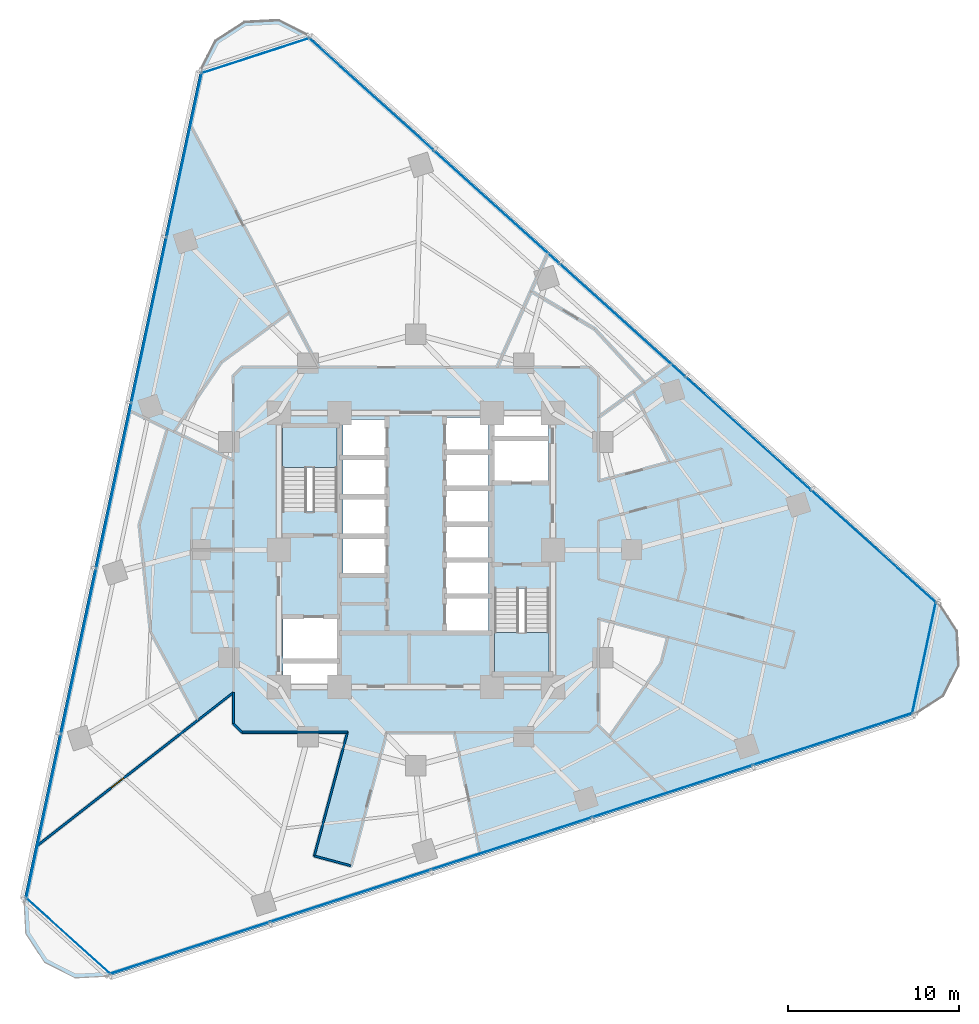
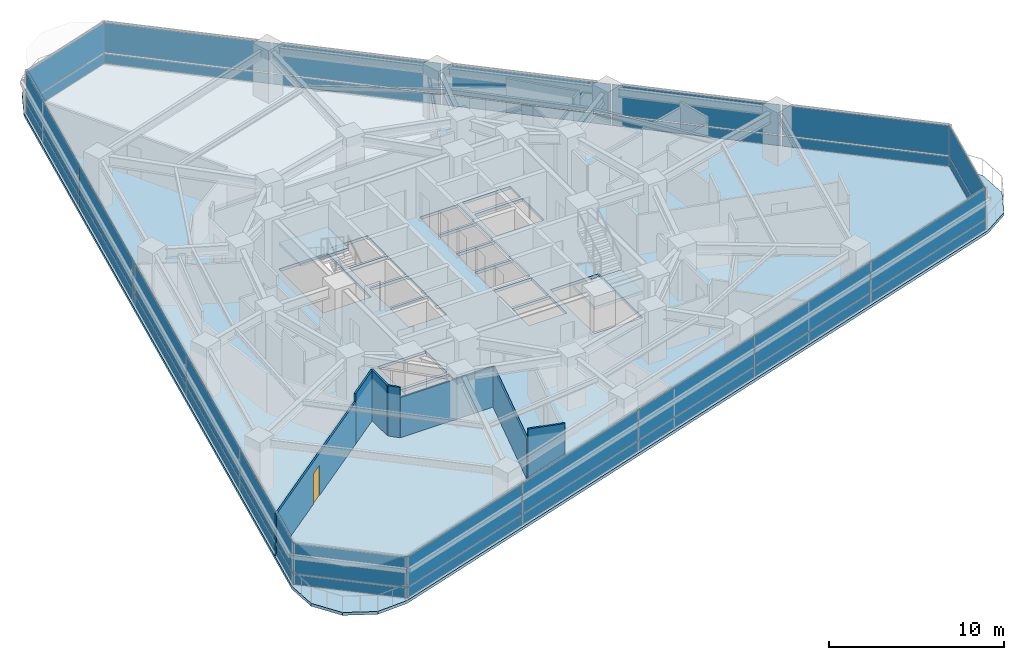
# One storey, part 6 of 13: 36 plates, 7 walls, 3 slabs, 1 door, 1 opening, 8 elements without a shape of their own.
"""IFC4 building model written with IfcOpenShell, lengths in metres."""

from ifc_helpers import new_model, si_unit, direction, frame, frame_2d, origin, origin_2d, place, context, subcontext, project, spatial, polyline, rectangle, outline, extrude, material, layer, layer_set, type_object, element, fill, aggregate, save


model = new_model("IFC4")

# Units and contexts
model_context = context("Model", 3, precision=1e-05, world=origin(), true_north=direction((0.0, 1.0)))
body_context = subcontext(model_context, "Body", "Model", "MODEL_VIEW")
ifc_project = project(units=[si_unit("LENGTHUNIT", "METRE"), si_unit("AREAUNIT", "SQUARE_METRE"), si_unit("VOLUMEUNIT", "CUBIC_METRE"), si_unit("PLANEANGLEUNIT", "RADIAN"), si_unit("MASSUNIT", "GRAM", prefix="KILO")], contexts=[model_context])

# Site, building, storey
site_placement = place(None, origin())
site = spatial("IfcSite", under=ifc_project, at=site_placement, CompositionType="ELEMENT")
building_placement = place(site_placement, origin())
building = spatial("IfcBuilding", under=site, at=building_placement, Name="Terralouvre Media Tower", CompositionType="ELEMENT")
storey_placement = place(building_placement, frame((0.0, 0.0, 101.39990234375)))
storey = spatial("IfcBuildingStorey", under=building, at=storey_placement, Name="L25", CompositionType="ELEMENT", Elevation=101.39990234375)

# Slab
ifc_material_1 = material(Name="Concrete C40/50", Category="concrete")
ifc_layer_1 = layer(ifc_material_1, 0.199951171875, Name="Composite Tower Floor Slab S-TYP200")
ifc_layer_set_1 = layer_set([ifc_layer_1], Name="Concrete C40/50")
slab_type_1 = type_object("IfcSlabType", Name="Composite Tower Floor Slab S-TYP200", PredefinedType="FLOOR", material=ifc_layer_set_1)
slab_1_placement = place(storey_placement, frame((0.0, 0.0, -0.199951171875), z_axis=(0.0, 0.0, 1.0), x_axis=(0.951056516295, 0.309016994375, 0.0)))
element("IfcSlab", 1, at=slab_1_placement, inside=storey, type_object=slab_type_1, Name="L25 Structural Floor Slab", PredefinedType="FLOOR", context=body_context, shape_type="SweptSolid", body=[
    extrude(outline(polyline([(-28.080078125, -12.33203125), (-28.60009765625, -14.272216796875), (-28.080078125, -16.212158203125), (-26.659912109375, -17.63232421875), (-24.719970703125, -18.152099609375), (24.719970703125, -18.152099609375), (26.659912109375, -17.63232421875), (28.080078125, -16.212158203125), (28.60009765625, -14.272216796875), (28.080078125, -12.33203125), (3.360107421875, 30.484130859375), (1.93994140625, 31.904296875), (0.0, 32.424072265625), (-1.93994140625, 31.904296875), (-3.360107421875, 30.484130859375), (-28.080078125, -12.33203125)]), holes=[polyline([(-6.78515625, -5.996826171875), (-9.781005859375, -5.0234375), (-9.41015625, -3.882080078125), (-6.414306640625, -4.85546875), (-6.78515625, -5.996826171875)]), polyline([(-6.3525390625, -4.665283203125), (-9.348388671875, -3.69189453125), (-8.59130859375, -1.36181640625), (-5.595458984375, -2.335205078125), (-6.3525390625, -4.665283203125)]), polyline([(-2.103271484375, -0.809814453125), (-4.480712890625, -0.037109375), (-3.819580078125, 1.998046875), (-1.44189453125, 1.2255859375), (-2.103271484375, -0.809814453125)]), polyline([(-1.392333984375, 1.377685546875), (-3.77001953125, 2.150146484375), (-3.108642578125, 4.185546875), (-0.731201171875, 3.4130859375), (-1.392333984375, 1.377685546875)]), polyline([(4.5302734375, 0.189453125), (2.152587890625, 0.9619140625), (2.752197265625, 2.806884765625), (5.129638671875, 2.034423828125), (4.5302734375, 0.189453125)]), polyline([(-0.681640625, 3.565185546875), (-3.059326171875, 4.337646484375), (-2.39794921875, 6.373046875), (-0.020263671875, 5.600341796875), (-0.681640625, 3.565185546875)]), polyline([(-3.68115234375, 3.556640625), (-6.70556640625, 4.539306640625), (-5.15576171875, 9.308837890625), (-2.13134765625, 8.326171875), (-3.68115234375, 3.556640625)]), polyline([(0.029052734375, 5.752685546875), (-2.3486328125, 6.525146484375), (-1.687255859375, 8.560302734375), (0.6904296875, 7.787841796875), (0.029052734375, 5.752685546875)]), polyline([(3.68115234375, -3.556640625), (6.70556640625, -4.539306640625), (5.15576171875, -9.308837890625), (2.13134765625, -8.326171875), (3.68115234375, -3.556640625)]), polyline([(2.58349609375, -5.80224609375), (0.205810546875, -5.02978515625), (0.80517578125, -3.184814453125), (3.182861328125, -3.957275390625), (2.58349609375, -5.80224609375)]), polyline([(3.232421875, -3.80517578125), (0.854736328125, -3.032470703125), (1.4541015625, -1.1875), (3.831787109375, -1.9599609375), (3.232421875, -3.80517578125)]), polyline([(3.88134765625, -1.807861328125), (1.503662109375, -1.035400390625), (2.103271484375, 0.809814453125), (4.480712890625, 0.037109375), (3.88134765625, -1.807861328125)]), polyline([(5.17919921875, 2.1865234375), (2.801513671875, 2.959228515625), (3.401123046875, 4.80419921875), (5.778564453125, 4.031494140625), (5.17919921875, 2.1865234375)]), polyline([(8.59130859375, 1.36181640625), (5.595458984375, 2.335205078125), (6.3525390625, 4.665283203125), (9.348388671875, 3.69189453125), (8.59130859375, 1.36181640625)]), polyline([(5.828125, 4.183837890625), (3.450439453125, 4.956298828125), (4.050048828125, 6.80126953125), (6.427490234375, 6.02880859375), (5.828125, 4.183837890625)]), polyline([(9.41015625, 3.882080078125), (6.414306640625, 4.85546875), (6.78515625, 5.996826171875), (9.781005859375, 5.0234375), (9.41015625, 3.882080078125)])]), origin(), (0.0, 0.0, 1.0), 0.199951171875),
])

# Stair, slab
ifc_material_2 = material(Name="Concrete C45/55", Category="concrete")
stair_type_1 = type_object("IfcStairType", Name="Dogleg Stair Assembly ST-01", PredefinedType="HALF_TURN_STAIR", material=ifc_material_2)
stair_1_placement = place(storey_placement, origin())
stair_1 = element("IfcStair", 2, at=stair_1_placement, inside=storey, type_object=stair_type_1, Name="L25 Core Pressurised Exit Stair ST-01", PredefinedType="HALF_TURN_STAIR")
ifc_material_3 = material(Name="Concrete C45/55", Category="concrete")
ifc_layer_2 = layer(ifc_material_3, 0.199951171875, Name="Reinforced Concrete Stair Half-Landing SL-LD1")
ifc_layer_set_2 = layer_set([ifc_layer_2], Name="Concrete C45/55")
slab_type_2 = type_object("IfcSlabType", Name="Reinforced Concrete Stair Half-Landing SL-LD1", PredefinedType="LANDING", material=ifc_layer_set_2)
slab_2_placement = place(storey_placement, frame((0.0, 0.0, 1.650146484375)))
slab_2 = element("IfcSlab", 3, at=slab_2_placement, type_object=slab_type_2, Name="ST-01 landing 1", PredefinedType="LANDING", context=body_context, shape_type="SweptSolid", body=[
    extrude(outline(polyline([(-4.60009765625, 4.820068359375), (-4.60009765625, 7.260009765625), (-7.780029296875, 7.260009765625), (-7.780029296875, 4.820068359375), (-4.60009765625, 4.820068359375)])), origin(), (0.0, 0.0, 1.0), 0.199951171875),
])
aggregate(stair_1, [slab_2])

ifc_material_4 = material(Name="Concrete C45/55", Category="concrete")
stair_type_2 = type_object("IfcStairType", Name="Dogleg Stair Assembly ST-02", PredefinedType="HALF_TURN_STAIR", material=ifc_material_4)
stair_2_placement = place(storey_placement, origin())
stair_2 = element("IfcStair", 4, at=stair_2_placement, inside=storey, type_object=stair_type_2, Name="L25 Core Pressurised Exit Stair ST-02", PredefinedType="HALF_TURN_STAIR")
slab_3_placement = place(storey_placement, frame((0.0, 0.0, 1.650146484375)))
slab_3 = element("IfcSlab", 5, at=slab_3_placement, type_object=slab_type_2, Name="ST-02 landing 1", PredefinedType="LANDING", context=body_context, shape_type="SweptSolid", body=[
    extrude(outline(polyline([(4.60009765625, -4.820068359375), (4.60009765625, -7.260009765625), (7.780029296875, -7.260009765625), (7.780029296875, -4.820068359375), (4.60009765625, -4.820068359375)])), origin(), (0.0, 0.0, 1.0), 0.199951171875),
])
aggregate(stair_2, [slab_3])

# Curtain wall, plates
ifc_material_5 = material(Name="Low-iron laminated double glazing with solar-control coating", Category="glass")
ifc_layer_3 = layer(ifc_material_5, 0.1650390625, Name="Rounded Wind-Corner Curved Glazing CW-04")
ifc_layer_set_3 = layer_set([ifc_layer_3], Name="Low-iron laminated double glazing with solar-control coating")
curtain_wall_type_1 = type_object("IfcCurtainWallType", Name="Rounded Wind-Corner Curved Glazing CW-04", PredefinedType="NOTDEFINED", material=ifc_layer_set_3)
curtain_wall_1_placement = place(storey_placement, origin())
curtain_wall_1 = element("IfcCurtainWall", 6, at=curtain_wall_1_placement, inside=storey, type_object=curtain_wall_type_1, Name="L25 Rounded Wind-Corner Curtain Wall C0", PredefinedType="NOTDEFINED")
ifc_material_6 = material(Name="Low-iron laminated double glazing with solar-control coating", Category="glass")
ifc_layer_4 = layer(ifc_material_6, 0.0400390625, Name="Rounded Corner Laminated Vision Panel CWP-03")
ifc_layer_set_4 = layer_set([ifc_layer_4], Name="Low-iron laminated double glazing with solar-control coating")
plate_type_1 = type_object("IfcPlateType", Name="Rounded Corner Laminated Vision Panel CWP-03", PredefinedType="CURTAIN_PANEL", material=ifc_layer_set_4)
plate_1_placement = place(storey_placement, frame((-20.30419921875, -22.550048828125, 0.0751953125), z_axis=(0.0, 0.0, 1.0), x_axis=(0.743144668471, -0.669130780732, 0.0)))
plate_1 = element("IfcPlate", 7, at=plate_1_placement, type_object=plate_type_1, Name="CW-04 panel 1.1", PredefinedType="CURTAIN_PANEL", context=body_context, shape_type="SweptSolid", body=[
    extrude(rectangle(XDim=6.5703125, YDim=0.035888671875, at=origin_2d()), origin(), (0.0, 0.0, 1.0), 0.6875),
])
plate_2_placement = place(storey_placement, frame((-20.30419921875, -22.550048828125, 0.837646484375), z_axis=(0.0, 0.0, 1.0), x_axis=(0.743144668471, -0.669130780732, 0.0)))
plate_2 = element("IfcPlate", 8, at=plate_2_placement, type_object=plate_type_1, Name="CW-04 panel 1.2", PredefinedType="CURTAIN_PANEL", context=body_context, shape_type="SweptSolid", body=[
    extrude(rectangle(XDim=6.5703125, YDim=0.035888671875, at=origin_2d()), origin(), (0.0, 0.0, 1.0), 2.08740234375),
])
aggregate(curtain_wall_1, [plate_1, plate_2])

curtain_wall_2_placement = place(storey_placement, origin())
curtain_wall_2 = element("IfcCurtainWall", 9, at=curtain_wall_2_placement, inside=storey, type_object=curtain_wall_type_1, Name="L25 Rounded Wind-Corner Curtain Wall C1", PredefinedType="NOTDEFINED")
plate_3_placement = place(storey_placement, frame((29.68115234375, -6.308837890625, 0.0751953125), z_axis=(0.0, 0.0, 1.0), x_axis=(0.207911611348, 0.978147617626, 0.0)))
plate_3 = element("IfcPlate", 10, at=plate_3_placement, type_object=plate_type_1, Name="CW-04 panel 1.1", PredefinedType="CURTAIN_PANEL", context=body_context, shape_type="SweptSolid", body=[
    extrude(rectangle(XDim=6.5703125, YDim=0.035888671875, at=origin_2d()), origin(), (0.0, 0.0, 1.0), 0.6875),
])
plate_4_placement = place(storey_placement, frame((29.68115234375, -6.308837890625, 0.837646484375), z_axis=(0.0, 0.0, 1.0), x_axis=(0.207911611348, 0.978147617626, 0.0)))
plate_4 = element("IfcPlate", 11, at=plate_4_placement, type_object=plate_type_1, Name="CW-04 panel 1.2", PredefinedType="CURTAIN_PANEL", context=body_context, shape_type="SweptSolid", body=[
    extrude(rectangle(XDim=6.5703125, YDim=0.035888671875, at=origin_2d()), origin(), (0.0, 0.0, 1.0), 2.08740234375),
])
aggregate(curtain_wall_2, [plate_3, plate_4])

curtain_wall_3_placement = place(storey_placement, origin())
curtain_wall_3 = element("IfcCurtainWall", 12, at=curtain_wall_3_placement, inside=storey, type_object=curtain_wall_type_1, Name="L25 Rounded Wind-Corner Curtain Wall C2", PredefinedType="NOTDEFINED")
plate_5_placement = place(storey_placement, frame((-9.376953125, 28.859130859375, 0.0751953125), z_axis=(0.0, 0.0, 1.0), x_axis=(-0.951056286408, -0.309017701894, 0.0)))
plate_5 = element("IfcPlate", 13, at=plate_5_placement, type_object=plate_type_1, Name="CW-04 panel 1.1", PredefinedType="CURTAIN_PANEL", context=body_context, shape_type="SweptSolid", body=[
    extrude(rectangle(XDim=6.5703125, YDim=0.035888671875, at=origin_2d()), origin(), (0.0, 0.0, 1.0), 0.6875),
])
plate_6_placement = place(storey_placement, frame((-9.376953125, 28.859130859375, 0.837646484375), z_axis=(0.0, 0.0, 1.0), x_axis=(-0.951056286408, -0.309017701894, 0.0)))
plate_6 = element("IfcPlate", 14, at=plate_6_placement, type_object=plate_type_1, Name="CW-04 panel 1.2", PredefinedType="CURTAIN_PANEL", context=body_context, shape_type="SweptSolid", body=[
    extrude(rectangle(XDim=6.5703125, YDim=0.035888671875, at=origin_2d()), origin(), (0.0, 0.0, 1.0), 2.08740234375),
])
aggregate(curtain_wall_3, [plate_5, plate_6])

ifc_material_7 = material(Name="Low-iron laminated double glazing with solar-control coating", Category="glass")
ifc_layer_5 = layer(ifc_material_7, 0.1650390625, Name="Lower Media Tower Unitised Curtain Wall CW-02")
ifc_layer_set_5 = layer_set([ifc_layer_5], Name="Low-iron laminated double glazing with solar-control coating")
curtain_wall_type_2 = type_object("IfcCurtainWallType", Name="Lower Media Tower Unitised Curtain Wall CW-02", PredefinedType="NOTDEFINED", material=ifc_layer_set_5)
curtain_wall_4_placement = place(storey_placement, origin())
curtain_wall_4 = element("IfcCurtainWall", 15, at=curtain_wall_4_placement, inside=storey, type_object=curtain_wall_type_2, Name="L25 Facade Curtain Wall F0", PredefinedType="NOTDEFINED")
ifc_material_8 = material(Name="Low-iron laminated double glazing with solar-control coating", Category="glass")
ifc_layer_6 = layer(ifc_material_8, 0.035888671875, Name="Vision Double-Glazed Unit CWP-01")
ifc_layer_set_6 = layer_set([ifc_layer_6], Name="Low-iron laminated double glazing with solar-control coating")
plate_type_2 = type_object("IfcPlateType", Name="Vision Double-Glazed Unit CWP-01", PredefinedType="CURTAIN_PANEL", material=ifc_layer_set_6)
plate_7_placement = place(storey_placement, frame((-13.218017578125, -23.2548828125, 0.0751953125), z_axis=(0.0, 0.0, 1.0), x_axis=(0.951056509451, 0.309017015439, 0.0)))
plate_7 = element("IfcPlate", 16, at=plate_7_placement, type_object=plate_type_2, Name="CW-02 panel 1.1", PredefinedType="CURTAIN_PANEL", context=body_context, shape_type="SweptSolid", body=[
    extrude(rectangle(XDim=9.775390625, YDim=0.035888671875, at=origin_2d()), origin(), (0.0, 0.0, 1.0), 0.6875),
])
plate_8_placement = place(storey_placement, frame((-13.218017578125, -23.2548828125, 0.837646484375), z_axis=(0.0, 0.0, 1.0), x_axis=(0.951056509451, 0.309017015439, 0.0)))
plate_8 = element("IfcPlate", 17, at=plate_8_placement, type_object=plate_type_2, Name="CW-02 panel 1.2", PredefinedType="CURTAIN_PANEL", context=body_context, shape_type="SweptSolid", body=[
    extrude(rectangle(XDim=9.775390625, YDim=0.035888671875, at=origin_2d()), origin(), (0.0, 0.0, 1.0), 2.08740234375),
])
plate_9_placement = place(storey_placement, frame((-3.831787109375, -20.205078125, 0.0751953125), z_axis=(0.0, 0.0, 1.0), x_axis=(0.951056509451, 0.309017015439, 0.0)))
plate_9 = element("IfcPlate", 18, at=plate_9_placement, type_object=plate_type_2, Name="CW-02 panel 2.1", PredefinedType="CURTAIN_PANEL", context=body_context, shape_type="SweptSolid", body=[
    extrude(rectangle(XDim=9.81298828125, YDim=0.035888671875, at=origin_2d()), origin(), (0.0, 0.0, 1.0), 0.6875),
])
plate_10_placement = place(storey_placement, frame((-3.831787109375, -20.205078125, 0.837646484375), z_axis=(0.0, 0.0, 1.0), x_axis=(0.951056509451, 0.309017015439, 0.0)))
plate_10 = element("IfcPlate", 19, at=plate_10_placement, type_object=plate_type_2, Name="CW-02 panel 2.2", PredefinedType="CURTAIN_PANEL", context=body_context, shape_type="SweptSolid", body=[
    extrude(rectangle(XDim=9.81298828125, YDim=0.035888671875, at=origin_2d()), origin(), (0.0, 0.0, 1.0), 2.08740234375),
])
plate_11_placement = place(storey_placement, frame((5.572265625, -17.149658203125, 0.0751953125), z_axis=(0.0, 0.0, 1.0), x_axis=(0.951056509451, 0.309017015439, 0.0)))
plate_11 = element("IfcPlate", 20, at=plate_11_placement, type_object=plate_type_2, Name="CW-02 panel 3.1", PredefinedType="CURTAIN_PANEL", context=body_context, shape_type="SweptSolid", body=[
    extrude(rectangle(XDim=9.81298828125, YDim=0.035888671875, at=origin_2d()), origin(), (0.0, 0.0, 1.0), 0.6875),
])
plate_12_placement = place(storey_placement, frame((5.572265625, -17.149658203125, 0.837646484375), z_axis=(0.0, 0.0, 1.0), x_axis=(0.951056509451, 0.309017015439, 0.0)))
plate_12 = element("IfcPlate", 21, at=plate_12_placement, type_object=plate_type_2, Name="CW-02 panel 3.2", PredefinedType="CURTAIN_PANEL", context=body_context, shape_type="SweptSolid", body=[
    extrude(rectangle(XDim=9.81298828125, YDim=0.035888671875, at=origin_2d()), origin(), (0.0, 0.0, 1.0), 2.08740234375),
])
plate_13_placement = place(storey_placement, frame((14.976318359375, -14.093994140625, 0.0751953125), z_axis=(0.0, 0.0, 1.0), x_axis=(0.951056509451, 0.309017015439, 0.0)))
plate_13 = element("IfcPlate", 22, at=plate_13_placement, type_object=plate_type_2, Name="CW-02 panel 4.1", PredefinedType="CURTAIN_PANEL", context=body_context, shape_type="SweptSolid", body=[
    extrude(rectangle(XDim=9.81298828125, YDim=0.035888671875, at=origin_2d()), origin(), (0.0, 0.0, 1.0), 0.6875),
])
plate_14_placement = place(storey_placement, frame((14.976318359375, -14.093994140625, 0.837646484375), z_axis=(0.0, 0.0, 1.0), x_axis=(0.951056509451, 0.309017015439, 0.0)))
plate_14 = element("IfcPlate", 23, at=plate_14_placement, type_object=plate_type_2, Name="CW-02 panel 4.2", PredefinedType="CURTAIN_PANEL", context=body_context, shape_type="SweptSolid", body=[
    extrude(rectangle(XDim=9.81298828125, YDim=0.035888671875, at=origin_2d()), origin(), (0.0, 0.0, 1.0), 2.08740234375),
])
plate_15_placement = place(storey_placement, frame((24.362548828125, -11.044189453125, 0.0751953125), z_axis=(0.0, 0.0, 1.0), x_axis=(0.951056509451, 0.309017015439, 0.0)))
plate_15 = element("IfcPlate", 24, at=plate_15_placement, type_object=plate_type_2, Name="CW-02 panel 5.1", PredefinedType="CURTAIN_PANEL", context=body_context, shape_type="SweptSolid", body=[
    extrude(rectangle(XDim=9.775390625, YDim=0.035888671875, at=origin_2d()), origin(), (0.0, 0.0, 1.0), 0.6875),
])
plate_16_placement = place(storey_placement, frame((24.362548828125, -11.044189453125, 0.837646484375), z_axis=(0.0, 0.0, 1.0), x_axis=(0.951056509451, 0.309017015439, 0.0)))
plate_16 = element("IfcPlate", 25, at=plate_16_placement, type_object=plate_type_2, Name="CW-02 panel 5.2", PredefinedType="CURTAIN_PANEL", context=body_context, shape_type="SweptSolid", body=[
    extrude(rectangle(XDim=9.775390625, YDim=0.035888671875, at=origin_2d()), origin(), (0.0, 0.0, 1.0), 2.08740234375),
])
aggregate(curtain_wall_4, [plate_7, plate_8, plate_9, plate_10, plate_11, plate_12, plate_13, plate_14, plate_15, plate_16])

curtain_wall_5_placement = place(storey_placement, origin())
curtain_wall_5 = element("IfcCurtainWall", 26, at=curtain_wall_5_placement, inside=storey, type_object=curtain_wall_type_2, Name="L25 Facade Curtain Wall F1", PredefinedType="NOTDEFINED")
plate_17_placement = place(storey_placement, frame((26.748291015625, 0.18017578125, 0.0751953125), z_axis=(0.0, 0.0, 1.0), x_axis=(-0.743144795545, 0.669130639602, 0.0)))
plate_17 = element("IfcPlate", 27, at=plate_17_placement, type_object=plate_type_2, Name="CW-02 panel 1.1", PredefinedType="CURTAIN_PANEL", context=body_context, shape_type="SweptSolid", body=[
    extrude(rectangle(XDim=9.775390625, YDim=0.035888671875, at=origin_2d()), origin(), (0.0, 0.0, 1.0), 0.6875),
])
plate_18_placement = place(storey_placement, frame((26.748291015625, 0.18017578125, 0.837646484375), z_axis=(0.0, 0.0, 1.0), x_axis=(-0.743144795545, 0.669130639602, 0.0)))
plate_18 = element("IfcPlate", 28, at=plate_18_placement, type_object=plate_type_2, Name="CW-02 panel 1.2", PredefinedType="CURTAIN_PANEL", context=body_context, shape_type="SweptSolid", body=[
    extrude(rectangle(XDim=9.775390625, YDim=0.035888671875, at=origin_2d()), origin(), (0.0, 0.0, 1.0), 2.08740234375),
])
plate_19_placement = place(storey_placement, frame((19.4140625, 6.7841796875, 0.0751953125), z_axis=(0.0, 0.0, 1.0), x_axis=(-0.743144795545, 0.669130639602, 0.0)))
plate_19 = element("IfcPlate", 29, at=plate_19_placement, type_object=plate_type_2, Name="CW-02 panel 2.1", PredefinedType="CURTAIN_PANEL", context=body_context, shape_type="SweptSolid", body=[
    extrude(rectangle(XDim=9.81298828125, YDim=0.035888671875, at=origin_2d()), origin(), (0.0, 0.0, 1.0), 0.6875),
])
plate_20_placement = place(storey_placement, frame((19.4140625, 6.7841796875, 0.837646484375), z_axis=(0.0, 0.0, 1.0), x_axis=(-0.743144795545, 0.669130639602, 0.0)))
plate_20 = element("IfcPlate", 30, at=plate_20_placement, type_object=plate_type_2, Name="CW-02 panel 2.2", PredefinedType="CURTAIN_PANEL", context=body_context, shape_type="SweptSolid", body=[
    extrude(rectangle(XDim=9.81298828125, YDim=0.035888671875, at=origin_2d()), origin(), (0.0, 0.0, 1.0), 2.08740234375),
])
plate_21_placement = place(storey_placement, frame((12.06591796875, 13.400390625, 0.0751953125), z_axis=(0.0, 0.0, 1.0), x_axis=(-0.743144795545, 0.669130639602, 0.0)))
plate_21 = element("IfcPlate", 31, at=plate_21_placement, type_object=plate_type_2, Name="CW-02 panel 3.1", PredefinedType="CURTAIN_PANEL", context=body_context, shape_type="SweptSolid", body=[
    extrude(rectangle(XDim=9.81298828125, YDim=0.035888671875, at=origin_2d()), origin(), (0.0, 0.0, 1.0), 0.6875),
])
plate_22_placement = place(storey_placement, frame((12.06591796875, 13.400390625, 0.837646484375), z_axis=(0.0, 0.0, 1.0), x_axis=(-0.743144795545, 0.669130639602, 0.0)))
plate_22 = element("IfcPlate", 32, at=plate_22_placement, type_object=plate_type_2, Name="CW-02 panel 3.2", PredefinedType="CURTAIN_PANEL", context=body_context, shape_type="SweptSolid", body=[
    extrude(rectangle(XDim=9.81298828125, YDim=0.035888671875, at=origin_2d()), origin(), (0.0, 0.0, 1.0), 2.08740234375),
])
plate_23_placement = place(storey_placement, frame((4.717529296875, 20.016845703125, 0.0751953125), z_axis=(0.0, 0.0, 1.0), x_axis=(-0.743144795545, 0.669130639602, 0.0)))
plate_23 = element("IfcPlate", 33, at=plate_23_placement, type_object=plate_type_2, Name="CW-02 panel 4.1", PredefinedType="CURTAIN_PANEL", context=body_context, shape_type="SweptSolid", body=[
    extrude(rectangle(XDim=9.81298828125, YDim=0.035888671875, at=origin_2d()), origin(), (0.0, 0.0, 1.0), 0.6875),
])
plate_24_placement = place(storey_placement, frame((4.717529296875, 20.016845703125, 0.837646484375), z_axis=(0.0, 0.0, 1.0), x_axis=(-0.743144795545, 0.669130639602, 0.0)))
plate_24 = element("IfcPlate", 34, at=plate_24_placement, type_object=plate_type_2, Name="CW-02 panel 4.2", PredefinedType="CURTAIN_PANEL", context=body_context, shape_type="SweptSolid", body=[
    extrude(rectangle(XDim=9.81298828125, YDim=0.035888671875, at=origin_2d()), origin(), (0.0, 0.0, 1.0), 2.08740234375),
])
plate_25_placement = place(storey_placement, frame((-2.61669921875, 26.62060546875, 0.0751953125), z_axis=(0.0, 0.0, 1.0), x_axis=(-0.743144795545, 0.669130639602, 0.0)))
plate_25 = element("IfcPlate", 35, at=plate_25_placement, type_object=plate_type_2, Name="CW-02 panel 5.1", PredefinedType="CURTAIN_PANEL", context=body_context, shape_type="SweptSolid", body=[
    extrude(rectangle(XDim=9.775390625, YDim=0.035888671875, at=origin_2d()), origin(), (0.0, 0.0, 1.0), 0.6875),
])
plate_26_placement = place(storey_placement, frame((-2.61669921875, 26.62060546875, 0.837646484375), z_axis=(0.0, 0.0, 1.0), x_axis=(-0.743144795545, 0.669130639602, 0.0)))
plate_26 = element("IfcPlate", 36, at=plate_26_placement, type_object=plate_type_2, Name="CW-02 panel 5.2", PredefinedType="CURTAIN_PANEL", context=body_context, shape_type="SweptSolid", body=[
    extrude(rectangle(XDim=9.775390625, YDim=0.035888671875, at=origin_2d()), origin(), (0.0, 0.0, 1.0), 2.08740234375),
])
aggregate(curtain_wall_5, [plate_17, plate_18, plate_19, plate_20, plate_21, plate_22, plate_23, plate_24, plate_25, plate_26])

curtain_wall_6_placement = place(storey_placement, origin())
curtain_wall_6 = element("IfcCurtainWall", 37, at=curtain_wall_6_placement, inside=storey, type_object=curtain_wall_type_2, Name="L25 Facade Curtain Wall F2", PredefinedType="NOTDEFINED")
plate_27_placement = place(storey_placement, frame((-13.5302734375, 23.07470703125, 0.0751953125), z_axis=(0.0, 0.0, 1.0), x_axis=(-0.207911643887, -0.978147610709, 0.0)))
plate_27 = element("IfcPlate", 38, at=plate_27_placement, type_object=plate_type_2, Name="CW-02 panel 1.1", PredefinedType="CURTAIN_PANEL", context=body_context, shape_type="SweptSolid", body=[
    extrude(rectangle(XDim=9.775390625, YDim=0.035888671875, at=origin_2d()), origin(), (0.0, 0.0, 1.0), 0.6875),
])
plate_28_placement = place(storey_placement, frame((-13.5302734375, 23.07470703125, 0.837646484375), z_axis=(0.0, 0.0, 1.0), x_axis=(-0.207911643887, -0.978147610709, 0.0)))
plate_28 = element("IfcPlate", 39, at=plate_28_placement, type_object=plate_type_2, Name="CW-02 panel 1.2", PredefinedType="CURTAIN_PANEL", context=body_context, shape_type="SweptSolid", body=[
    extrude(rectangle(XDim=9.775390625, YDim=0.035888671875, at=origin_2d()), origin(), (0.0, 0.0, 1.0), 2.08740234375),
])
plate_29_placement = place(storey_placement, frame((-15.582275390625, 13.4208984375, 0.0751953125), z_axis=(0.0, 0.0, 1.0), x_axis=(-0.207911643887, -0.978147610709, 0.0)))
plate_29 = element("IfcPlate", 40, at=plate_29_placement, type_object=plate_type_2, Name="CW-02 panel 2.1", PredefinedType="CURTAIN_PANEL", context=body_context, shape_type="SweptSolid", body=[
    extrude(rectangle(XDim=9.81298828125, YDim=0.035888671875, at=origin_2d()), origin(), (0.0, 0.0, 1.0), 0.6875),
])
plate_30_placement = place(storey_placement, frame((-15.582275390625, 13.4208984375, 0.837646484375), z_axis=(0.0, 0.0, 1.0), x_axis=(-0.207911643887, -0.978147610709, 0.0)))
plate_30 = element("IfcPlate", 41, at=plate_30_placement, type_object=plate_type_2, Name="CW-02 panel 2.2", PredefinedType="CURTAIN_PANEL", context=body_context, shape_type="SweptSolid", body=[
    extrude(rectangle(XDim=9.81298828125, YDim=0.035888671875, at=origin_2d()), origin(), (0.0, 0.0, 1.0), 2.08740234375),
])
plate_31_placement = place(storey_placement, frame((-17.637939453125, 3.7490234375, 0.0751953125), z_axis=(0.0, 0.0, 1.0), x_axis=(-0.207911643887, -0.978147610709, 0.0)))
plate_31 = element("IfcPlate", 42, at=plate_31_placement, type_object=plate_type_2, Name="CW-02 panel 3.1", PredefinedType="CURTAIN_PANEL", context=body_context, shape_type="SweptSolid", body=[
    extrude(rectangle(XDim=9.81298828125, YDim=0.035888671875, at=origin_2d()), origin(), (0.0, 0.0, 1.0), 0.6875),
])
plate_32_placement = place(storey_placement, frame((-17.637939453125, 3.7490234375, 0.837646484375), z_axis=(0.0, 0.0, 1.0), x_axis=(-0.207911643887, -0.978147610709, 0.0)))
plate_32 = element("IfcPlate", 43, at=plate_32_placement, type_object=plate_type_2, Name="CW-02 panel 3.2", PredefinedType="CURTAIN_PANEL", context=body_context, shape_type="SweptSolid", body=[
    extrude(rectangle(XDim=9.81298828125, YDim=0.035888671875, at=origin_2d()), origin(), (0.0, 0.0, 1.0), 2.08740234375),
])
plate_33_placement = place(storey_placement, frame((-19.69384765625, -5.9228515625, 0.0751953125), z_axis=(0.0, 0.0, 1.0), x_axis=(-0.207911643887, -0.978147610709, 0.0)))
plate_33 = element("IfcPlate", 44, at=plate_33_placement, type_object=plate_type_2, Name="CW-02 panel 4.1", PredefinedType="CURTAIN_PANEL", context=body_context, shape_type="SweptSolid", body=[
    extrude(rectangle(XDim=9.81298828125, YDim=0.035888671875, at=origin_2d()), origin(), (0.0, 0.0, 1.0), 0.6875),
])
plate_34_placement = place(storey_placement, frame((-19.69384765625, -5.9228515625, 0.837646484375), z_axis=(0.0, 0.0, 1.0), x_axis=(-0.207911643887, -0.978147610709, 0.0)))
plate_34 = element("IfcPlate", 45, at=plate_34_placement, type_object=plate_type_2, Name="CW-02 panel 4.2", PredefinedType="CURTAIN_PANEL", context=body_context, shape_type="SweptSolid", body=[
    extrude(rectangle(XDim=9.81298828125, YDim=0.035888671875, at=origin_2d()), origin(), (0.0, 0.0, 1.0), 2.08740234375),
])
plate_35_placement = place(storey_placement, frame((-21.745849609375, -15.576416015625, 0.0751953125), z_axis=(0.0, 0.0, 1.0), x_axis=(-0.207911643887, -0.978147610709, 0.0)))
plate_35 = element("IfcPlate", 46, at=plate_35_placement, type_object=plate_type_2, Name="CW-02 panel 5.1", PredefinedType="CURTAIN_PANEL", context=body_context, shape_type="SweptSolid", body=[
    extrude(rectangle(XDim=9.775390625, YDim=0.035888671875, at=origin_2d()), origin(), (0.0, 0.0, 1.0), 0.6875),
])
plate_36_placement = place(storey_placement, frame((-21.745849609375, -15.576416015625, 0.837646484375), z_axis=(0.0, 0.0, 1.0), x_axis=(-0.207911643887, -0.978147610709, 0.0)))
plate_36 = element("IfcPlate", 47, at=plate_36_placement, type_object=plate_type_2, Name="CW-02 panel 5.2", PredefinedType="CURTAIN_PANEL", context=body_context, shape_type="SweptSolid", body=[
    extrude(rectangle(XDim=9.775390625, YDim=0.035888671875, at=origin_2d()), origin(), (0.0, 0.0, 1.0), 2.08740234375),
])
aggregate(curtain_wall_6, [plate_27, plate_28, plate_29, plate_30, plate_31, plate_32, plate_33, plate_34, plate_35, plate_36])

# Walls
ifc_material_9 = material(Name="Fire-rated gypsum board drywall partition")
ifc_layer_7 = layer(ifc_material_9, 0.114990234375, Name="Restroom and Pantry Partition PT-115")
ifc_layer_set_7 = layer_set([ifc_layer_7], Name="Fire-rated gypsum board drywall partition")
wall_type = type_object("IfcWallType", Name="Restroom and Pantry Partition PT-115", PredefinedType="PARTITIONING", material=ifc_layer_set_7)
wall_1_placement = place(storey_placement, frame((-10.64990234375, -8.321044921875, 0.0), z_axis=(0.0, 0.0, 1.0), x_axis=(0.0, -1.0, 0.0)))
element("IfcWall", 48, at=wall_1_placement, inside=storey, type_object=wall_type, Name="L25 Interior Partition 001", PredefinedType="PARTITIONING", context=body_context, shape_type="SweptSolid", body=[
    extrude(rectangle(XDim=1.828857421875, YDim=0.114990234375, at=frame_2d((0.91455078125, 0.0))), origin(), (0.0, 0.0, 1.0), 3.5),
])
wall_2_placement = place(storey_placement, frame((-10.64990234375, -10.14990234375, 0.0), z_axis=(0.0, 0.0, 1.0), x_axis=(0.707106781187, -0.707106781187, 0.0)))
element("IfcWall", 49, at=wall_2_placement, inside=storey, type_object=wall_type, Name="L25 Interior Partition 002", PredefinedType="PARTITIONING", context=body_context, shape_type="SweptSolid", body=[
    extrude(rectangle(XDim=0.70703125, YDim=0.114990234375, at=frame_2d((0.353515625, 0.0))), origin(), (0.0, 0.0, 1.0), 3.5),
])
wall_3_placement = place(storey_placement, frame((-10.14990234375, -10.64990234375, 0.0), z_axis=(0.0, 0.0, 1.0), x_axis=(1.0, 0.0, 0.0)))
element("IfcWall", 50, at=wall_3_placement, inside=storey, type_object=wall_type, Name="L25 Interior Partition 003", PredefinedType="PARTITIONING", context=body_context, shape_type="SweptSolid", body=[
    extrude(rectangle(XDim=6.157958984375, YDim=0.114990234375, at=frame_2d((3.0791015625, 0.0))), origin(), (0.0, 0.0, 1.0), 2.78515625),
])
wall_4_placement = place(storey_placement, frame((-3.991943359375, -10.64990234375, 0.0), z_axis=(0.0, 0.0, 1.0), x_axis=(-0.258828534142, -0.965923283659, 0.0)))
element("IfcWall", 51, at=wall_4_placement, inside=storey, type_object=wall_type, Name="L25 Interior Partition 004", PredefinedType="PARTITIONING", context=body_context, shape_type="SweptSolid", body=[
    extrude(rectangle(XDim=7.47998046875, YDim=0.114990234375, at=frame_2d((3.739990234375, 0.0))), origin(), (0.0, 0.0, 1.0), 2.78515625),
])
wall_5_placement = place(storey_placement, frame((-5.927978515625, -17.875, 0.0), z_axis=(0.0, 0.0, 1.0), x_axis=(0.965959937537, -0.258691706618, 0.0)))
element("IfcWall", 52, at=wall_5_placement, inside=storey, type_object=wall_type, Name="L25 Interior Partition 005", PredefinedType="PARTITIONING", context=body_context, shape_type="SweptSolid", body=[
    extrude(rectangle(XDim=2.199951171875, YDim=0.114990234375, at=frame_2d((1.10009765625, 0.0))), origin(), (0.0, 0.0, 1.0), 3.5),
])
wall_6_placement = place(storey_placement, frame((-10.64990234375, -8.321044921875, 0.0), z_axis=(0.0, 0.0, 1.0), x_axis=(-0.787998815749, -0.615676754782, 0.0)))
element("IfcWall", 53, at=wall_6_placement, inside=storey, type_object=wall_type, Name="L25 Interior Partition 035", PredefinedType="PARTITIONING", context=body_context, shape_type="SweptSolid", body=[
    extrude(rectangle(XDim=2.60693359375, YDim=0.114990234375, at=frame_2d((1.303466796875, 0.0))), origin(), (0.0, 0.0, 1.0), 3.5),
])

# Wall, opening, door
wall_7_placement = place(storey_placement, frame((-12.7041015625, -9.926025390625, 0.0), z_axis=(0.0, 0.0, 1.0), x_axis=(-0.788033940978, -0.615631795692, 0.0)))
wall_7 = element("IfcWall", 54, at=wall_7_placement, inside=storey, type_object=wall_type, Name="L25 Interior Partition 036", PredefinedType="PARTITIONING", context=body_context, shape_type="SweptSolid", body=[
    extrude(rectangle(XDim=11.9931640625, YDim=0.114990234375, at=frame_2d((5.99658203125, 0.0))), origin(), (0.0, 0.0, 1.0), 2.93505859375),
])
opening_placement = place(wall_7_placement, frame((5.53662109375, 0.0, 0.0)))
opening = element("IfcOpeningElement", 55, at=opening_placement, cuts=wall_7, Name="Opening ID-03-92X210", PredefinedType="OPENING", context=body_context, shape_type="SweptSolid", body=[
    extrude(rectangle(XDim=0.919921875, YDim=2.10009765625, at=frame_2d((0.4599609375, 1.050048828125))), frame((0.0, 0.0673828125, 0.0), z_axis=(0.0, -1.0, 0.0), x_axis=(1.0, 0.0, 0.0)), (0.0, 0.0, 1.0), 0.135009765625),
])
ifc_material_10 = material(Name="Engineered hardwood acoustic timber leaf", Category="wood")
door_type = type_object("IfcDoorType", Name="Accessible Restroom and Suite Door ID-03 (920x2100)", OperationType="NOTDEFINED", PredefinedType="DOOR", material=ifc_material_10)
door_placement = place(opening_placement, origin())
door = element("IfcDoor", 56, at=door_placement, inside=storey, type_object=door_type, Name="L25 Club Administration Office 7 Door", OperationType="SINGLE_SWING_RIGHT", OverallHeight=2.10009765625, OverallWidth=0.919921875, PredefinedType="DOOR", context=body_context, shape_type="SweptSolid", body=[
    extrude(rectangle(XDim=0.919921875, YDim=2.10009765625, at=frame_2d((0.4599609375, 1.050048828125))), frame((0.0, 0.02490234375, 0.0), z_axis=(0.0, -1.0, 0.0), x_axis=(1.0, 0.0, 0.0)), (0.0, 0.0, 1.0), 0.050048828125),
])
fill(opening, door)

save(model, "model.ifc")
